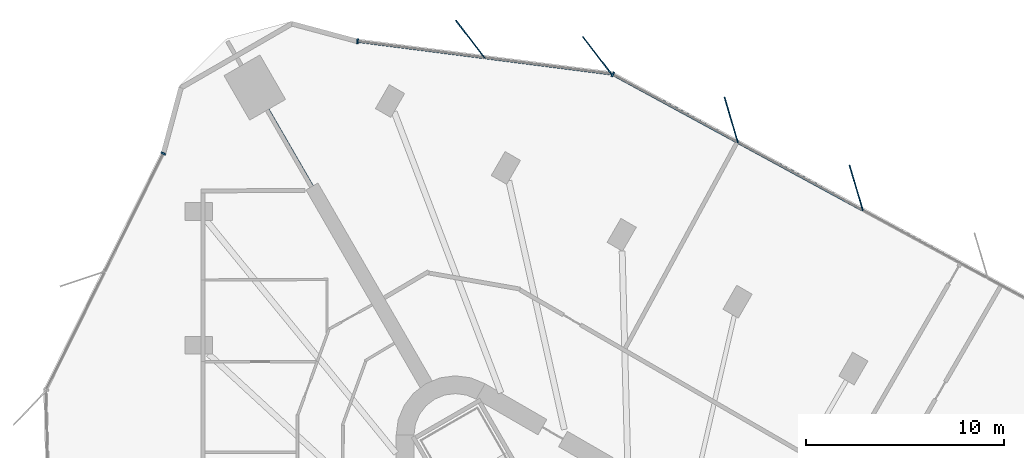
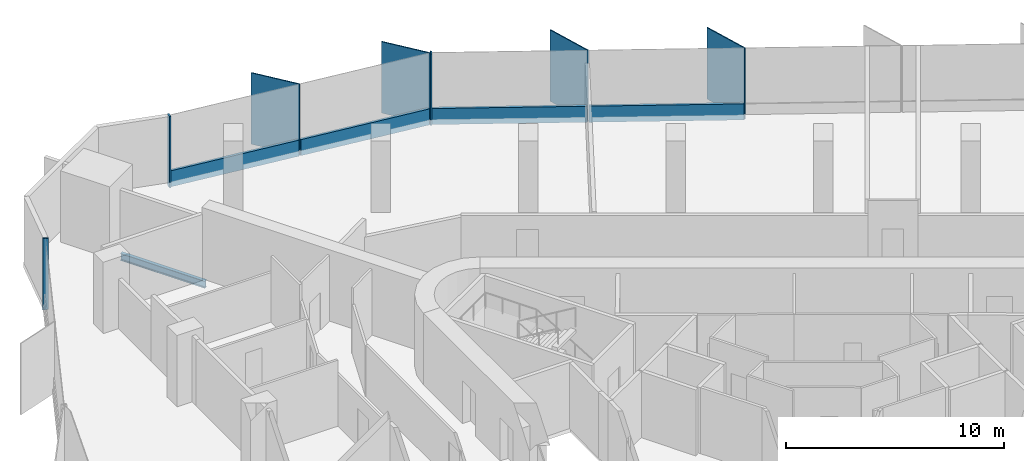
# One storey, part 6 of 14: 11 members, 1 beam, 3 elements without a shape of their own.
"""IFC4 building model written with IfcOpenShell, lengths in metres."""

from ifc_helpers import new_model, si_unit, direction, frame, origin, origin_2d, place, context, subcontext, project, spatial, rectangle, i_section, extrude, material, material_profile, profile_set, type_object, element, aggregate, save


model = new_model("IFC4")

# Units and contexts
model_context = context("Model", 3, precision=1e-05, world=origin(), true_north=direction((0.0, 1.0)))
body_context = subcontext(model_context, "Body", "Model", "MODEL_VIEW")
ifc_project = project(units=[si_unit("LENGTHUNIT", "METRE"), si_unit("AREAUNIT", "SQUARE_METRE"), si_unit("VOLUMEUNIT", "CUBIC_METRE"), si_unit("PLANEANGLEUNIT", "RADIAN"), si_unit("MASSUNIT", "GRAM", prefix="KILO")], contexts=[model_context])

# Site, building, storey
site_placement = place(None, origin())
site = spatial("IfcSite", under=ifc_project, at=site_placement, CompositionType="ELEMENT")
building_placement = place(site_placement, origin())
building = spatial("IfcBuilding", under=site, at=building_placement, Name="Tanit Gate Tower", CompositionType="ELEMENT")
storey_placement = place(building_placement, frame((0.0, 0.0, 225.199951171875)))
storey = spatial("IfcBuildingStorey", under=building, at=storey_placement, Name="L50", CompositionType="ELEMENT", Elevation=225.199951171875)

# Curtain wall, members
ifc_material_1 = material(Name="Aluminium bronze anodised and glass", Category="aluminium")
curtain_wall_type = type_object("IfcCurtainWallType", Name="Curtain wall typical mid", PredefinedType="NOTDEFINED", material=ifc_material_1)
curtain_wall_1_placement = place(storey_placement, origin())
curtain_wall_1 = element("IfcCurtainWall", 1, at=curtain_wall_1_placement, inside=storey, type_object=curtain_wall_type, Name="Curtain wall L50 NE2", PredefinedType="NOTDEFINED")
ifc_material_2 = material(Name="Aluminium bronze anodised", Category="aluminium")
ifc_material_profile_1 = material_profile(ifc_material_2, rectangle(XDim=2.39990234375, YDim=0.055908203125, at=origin_2d()), Name="56x2400 bronze fin mullion")
ifc_profile_set_1 = profile_set([ifc_material_profile_1], Name="Aluminium bronze anodised")
member_type_1 = type_object("IfcMemberType", Name="FIN MULLION 56x2400 bronze", PredefinedType="MULLION", material=ifc_profile_set_1)
member_1_placement = place(storey_placement, frame((11.185546875, 28.281982421875, -0.300048828125), z_axis=(0.0, 0.0, 1.0), x_axis=(0.283905588939, -0.958852239174, 0.0)))
member_1 = element("IfcMember", 2, at=member_1_placement, type_object=member_type_1, Name="Fin mullion L50 NE2.4", PredefinedType="MULLION", context=body_context, shape_type="SweptSolid", body=[
    extrude(rectangle(XDim=2.39990234375, YDim=0.055908203125, at=origin_2d()), origin(), (0.0, 0.0, 1.0), 4.0),
])
member_2_placement = place(storey_placement, frame((4.85888671875, 31.718017578125, -0.300048828125), z_axis=(0.0, 0.0, 1.0), x_axis=(0.283905588939, -0.958852239174, 0.0)))
member_2 = element("IfcMember", 3, at=member_2_placement, type_object=member_type_1, Name="Fin mullion L50 NE2.5", PredefinedType="MULLION", context=body_context, shape_type="SweptSolid", body=[
    extrude(rectangle(XDim=2.39990234375, YDim=0.055908203125, at=origin_2d()), origin(), (0.0, 0.0, 1.0), 4.0),
])

curtain_wall_2_placement = place(storey_placement, origin())
curtain_wall_2 = element("IfcCurtainWall", 4, at=curtain_wall_2_placement, inside=storey, type_object=curtain_wall_type, Name="Curtain wall L50 NE3", PredefinedType="NOTDEFINED")
member_3_placement = place(storey_placement, frame((-1.928466796875, 34.981201171875, -0.300048828125), z_axis=(0.0, 0.0, 1.0), x_axis=(0.611136893186, -0.791524919246, 0.0)))
member_3 = element("IfcMember", 5, at=member_3_placement, type_object=member_type_1, Name="Fin mullion L50 NE3.1", PredefinedType="MULLION", context=body_context, shape_type="SweptSolid", body=[
    extrude(rectangle(XDim=2.39990234375, YDim=0.055908203125, at=origin_2d()), origin(), (0.0, 0.0, 1.0), 4.0),
])
member_4_placement = place(storey_placement, frame((-8.352294921875, 35.807373046875, -0.300048828125), z_axis=(0.0, 0.0, 1.0), x_axis=(0.611136893186, -0.791524919246, 0.0)))
member_4 = element("IfcMember", 6, at=member_4_placement, type_object=member_type_1, Name="Fin mullion L50 NE3.2", PredefinedType="MULLION", context=body_context, shape_type="SweptSolid", body=[
    extrude(rectangle(XDim=2.39990234375, YDim=0.055908203125, at=origin_2d()), origin(), (0.0, 0.0, 1.0), 4.0),
])

# Member
ifc_material_3 = material(Name="Aluminium bronze anodised", Category="aluminium")
ifc_material_profile_2 = material_profile(ifc_material_3, rectangle(XDim=0.260009765625, YDim=0.080078125, at=origin_2d()), Name="80x260 bronze mullion")
ifc_profile_set_2 = profile_set([ifc_material_profile_2], Name="Aluminium bronze anodised")
member_type_2 = type_object("IfcMemberType", Name="Mullion 80x260 typical mid", PredefinedType="MULLION", material=ifc_profile_set_2)
member_5_placement = place(storey_placement, frame((-1.13330078125, 34.02392578125, -0.300048828125), z_axis=(0.0, 0.0, 1.0), x_axis=(-0.477259353321, -0.878762487631, 0.0)))
member_5 = element("IfcMember", 7, at=member_5_placement, type_object=member_type_2, Name="Mullion L50 NE2.6", PredefinedType="MULLION", context=body_context, shape_type="SweptSolid", body=[
    extrude(rectangle(XDim=0.260009765625, YDim=0.080078125, at=origin_2d()), origin(), (0.0, 0.0, 1.0), 4.0),
])

member_6_placement = place(storey_placement, frame((-14.055419921875, 35.700439453125, -0.300048828125), z_axis=(0.0, 0.0, 1.0), x_axis=(-0.127553596472, -0.991831679282, 0.0)))
member_6 = element("IfcMember", 8, at=member_6_placement, type_object=member_type_2, Name="Mullion L50 NE3.3", PredefinedType="MULLION", context=body_context, shape_type="SweptSolid", body=[
    extrude(rectangle(XDim=0.260009765625, YDim=0.080078125, at=origin_2d()), origin(), (0.0, 0.0, 1.0), 4.0),
])

# Curtain wall, member
curtain_wall_3_placement = place(storey_placement, origin())
curtain_wall_3 = element("IfcCurtainWall", 9, at=curtain_wall_3_placement, inside=storey, type_object=curtain_wall_type, Name="Curtain wall L50 W1", PredefinedType="NOTDEFINED")
member_7_placement = place(storey_placement, frame((-23.89306640625, 30.019775390625, -0.300048828125), z_axis=(0.0, 0.0, 1.0), x_axis=(0.895875921171, -0.444304325734, 0.0)))
member_7 = element("IfcMember", 10, at=member_7_placement, type_object=member_type_2, Name="Mullion L50 W1.1", PredefinedType="MULLION", context=body_context, shape_type="SweptSolid", body=[
    extrude(rectangle(XDim=0.260009765625, YDim=0.080078125, at=origin_2d()), origin(), (0.0, 0.0, 1.0), 4.0),
])
aggregate(curtain_wall_3, [member_7])

# Beam
ifc_material_4 = material(Name="Steel S355", Category="steel")
ifc_material_profile_3 = material_profile(ifc_material_4, i_section(OverallWidth=0.179931640625, OverallDepth=0.39990234375, WebThickness=0.008544921875, FlangeThickness=0.013427734375, FilletRadius=0.02099609375, at=origin_2d()), Name="IPE 400")
ifc_profile_set_3 = profile_set([ifc_material_profile_3], Name="Steel S355")
beam_type = type_object("IfcBeamType", Name="RADIAL GIRDER IPE 400 S355", PredefinedType="BEAM", material=ifc_profile_set_3)
beam_placement = place(storey_placement, frame((-18.607666015625, 32.2294921875, -0.5), z_axis=(0.500003645003, -0.866023299331, 0.0), x_axis=(0.866023299331, 0.500003645003, 0.0)))
element("IfcBeam", 11, at=beam_placement, inside=storey, type_object=beam_type, Name="RADIAL GIRDER", PredefinedType="BEAM", context=body_context, shape_type="SweptSolid", body=[
    extrude(i_section(OverallWidth=0.179931640625, OverallDepth=0.39990234375, WebThickness=0.008544921875, FlangeThickness=0.013427734375, FilletRadius=0.02099609375, at=origin_2d()), origin(), (0.0, 0.0, 1.0), 4.484375),
])

# Member
ifc_material_5 = material(Name="Aluminium bronze anodised", Category="aluminium")
ifc_material_profile_4 = material_profile(ifc_material_5, rectangle(XDim=0.139892578125, YDim=0.89990234375, at=origin_2d()), Name="140x900 bronze transom")
ifc_profile_set_4 = profile_set([ifc_material_profile_4], Name="Aluminium bronze anodised")
member_type_3 = type_object("IfcMemberType", Name="Transom 140x900 typical mid", PredefinedType="USERDEFINED", material=ifc_profile_set_4)
member_8_placement = place(storey_placement, frame((11.485107421875, 27.1708984375, 0.150146484375), z_axis=(-0.878764273832, 0.477256064432, 0.0), x_axis=(-0.477256064432, -0.878764273832, 0.0)))
member_8 = element("IfcMember", 12, at=member_8_placement, type_object=member_type_3, Name="Transom L50 NE2.4", ObjectType="TRANSOM", PredefinedType="USERDEFINED", context=body_context, shape_type="SweptSolid", body=[
    extrude(rectangle(XDim=0.139892578125, YDim=0.89990234375, at=origin_2d()), origin(), (0.0, 0.0, 1.0), 7.119873046875),
])

member_9_placement = place(storey_placement, frame((5.158203125, 30.60693359375, 0.150146484375), z_axis=(-0.878756463002, 0.477270446112, 0.0), x_axis=(-0.477270446112, -0.878756463002, 0.0)))
member_9 = element("IfcMember", 13, at=member_9_placement, type_object=member_type_3, Name="Transom L50 NE2.5", ObjectType="TRANSOM", PredefinedType="USERDEFINED", context=body_context, shape_type="SweptSolid", body=[
    extrude(rectangle(XDim=0.139892578125, YDim=0.89990234375, at=origin_2d()), origin(), (0.0, 0.0, 1.0), 7.11962890625),
])

aggregate(curtain_wall_1, [member_1, member_2, member_5, member_8, member_9])

member_10_placement = place(storey_placement, frame((-1.247802734375, 34.05322265625, 0.150146484375), z_axis=(-0.991831223032, 0.12755714413, 0.0), x_axis=(-0.12755714413, -0.991831223032, 0.0)))
member_10 = element("IfcMember", 14, at=member_10_placement, type_object=member_type_3, Name="Transom L50 NE3.1", ObjectType="TRANSOM", PredefinedType="USERDEFINED", context=body_context, shape_type="SweptSolid", body=[
    extrude(rectangle(XDim=0.139892578125, YDim=0.89990234375, at=origin_2d()), origin(), (0.0, 0.0, 1.0), 6.396484375),
])

member_11_placement = place(storey_placement, frame((-7.67138671875, 34.87939453125, 0.150146484375), z_axis=(-0.991831223032, 0.12755714413, 0.0), x_axis=(-0.12755714413, -0.991831223032, 0.0)))
member_11 = element("IfcMember", 15, at=member_11_placement, type_object=member_type_3, Name="Transom L50 NE3.2", ObjectType="TRANSOM", PredefinedType="USERDEFINED", context=body_context, shape_type="SweptSolid", body=[
    extrude(rectangle(XDim=0.139892578125, YDim=0.89990234375, at=origin_2d()), origin(), (0.0, 0.0, 1.0), 6.396484375),
])

aggregate(curtain_wall_2, [member_3, member_4, member_6, member_10, member_11])

save(model, "model.ifc")
